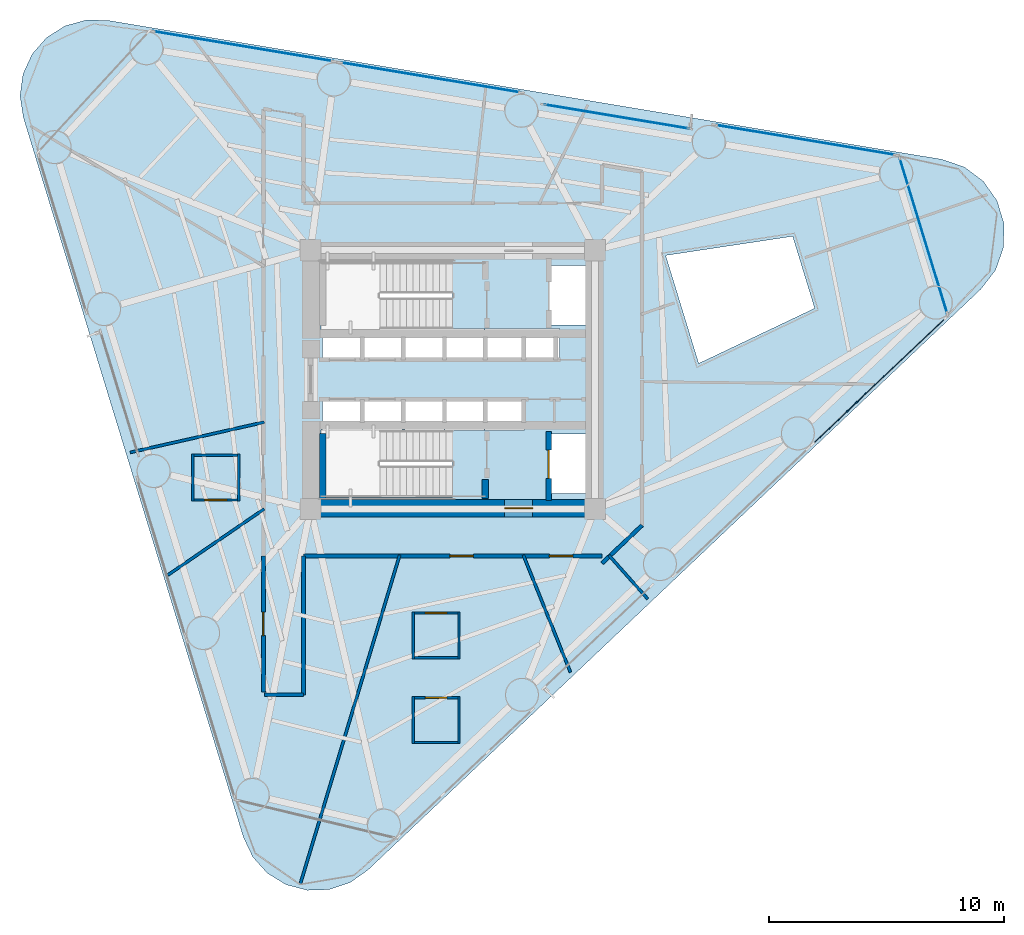
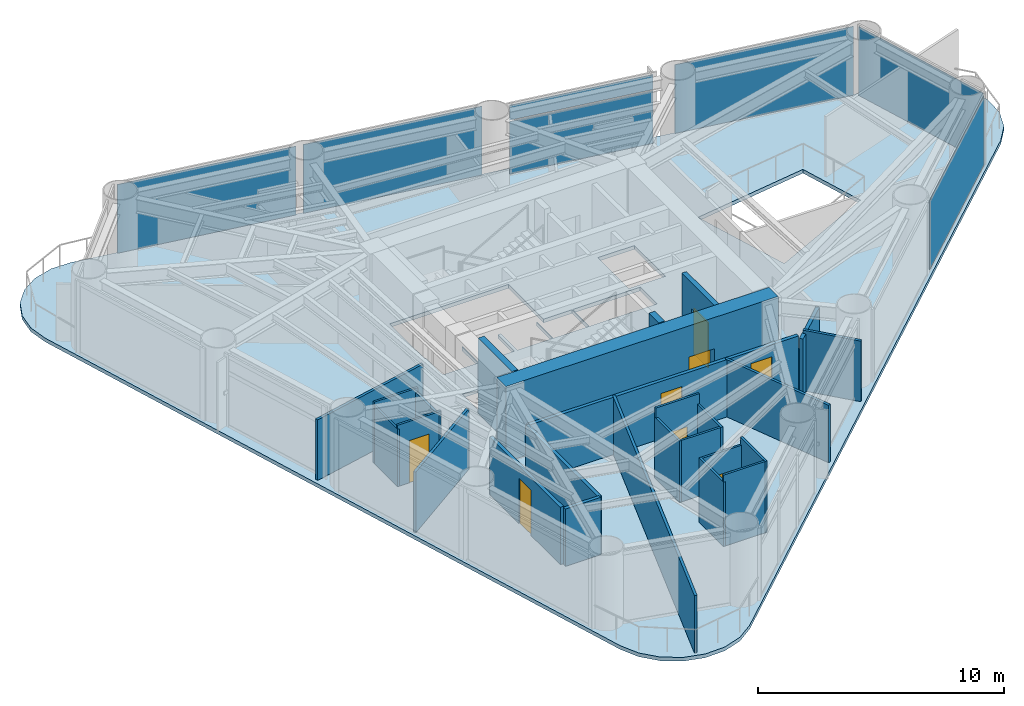
# One storey, part 5 of 10: 26 walls, 8 doors, 7 plates, 1 slab, 8 openings, 6 elements without a shape of their own.
"""IFC4 building model written with IfcOpenShell, lengths in metres."""

import ifcopenshell
import ifcopenshell.guid

model = None  # the IFC model being written
_history = None  # IfcOwnerHistory: only IFC2X3 demands one
_inside = {}  # id of a spatial element -> (the spatial element, [elements in it])
_under = {}  # id of a project, library or spatial element -> (it, [spatial elements below it])
_declared = {}  # id of a project -> (the project, [libraries it declares])
_typed = {}  # id of a type object -> (the type object, [elements of that type])
_made_of = {}  # id of a material, layer set ... -> (it, [elements and type objects made of it])


def new_model(schema):
    """Start an empty IFC model of exactly this schema.

    Asked for "IFC4X3", IfcOpenShell would pick the latest addendum, in which some entities
    have other attributes; the version numbers below select the first issue.
    IFC2X3 requires an IfcOwnerHistory on every rooted entity: one is made here for all.
    """
    global model, _history
    if schema == "IFC4X3":
        model = ifcopenshell.file(schema_version=(4, 3, 0, 0))
    else:
        model = ifcopenshell.file(schema=schema)
    _inside.clear()
    _under.clear()
    _declared.clear()
    _typed.clear()
    _made_of.clear()
    _history = None
    if model.schema == "IFC2X3":
        org = make("IfcOrganization", Name="unknown")
        user = make(
            "IfcPersonAndOrganization",
            ThePerson=make("IfcPerson", FamilyName="unknown"),
            TheOrganization=org,
        )
        app = make(
            "IfcApplication",
            ApplicationDeveloper=org,
            Version="unknown",
            ApplicationFullName="unknown",
            ApplicationIdentifier="unknown",
        )
        _history = make(
            "IfcOwnerHistory",
            OwningUser=user,
            OwningApplication=app,
            ChangeAction="ADDED",
            CreationDate=0,
        )
    return model


def make(cls, **values):
    """One entity of the class cls with the attributes given. An attribute that is None is left unset."""
    return model.create_entity(
        cls, **{name: value for name, value in values.items() if value is not None}
    )


def rooted(cls, **values):
    """An entity with a GlobalId (a new one), such as an element, a storey or a relation."""
    return make(cls, GlobalId=ifcopenshell.guid.new(), OwnerHistory=_history, **values)


def si_unit(unit_type, name, prefix=None):
    """IfcSIUnit, for example si_unit("LENGTHUNIT", "METRE", prefix="MILLI")."""
    return make("IfcSIUnit", UnitType=unit_type, Prefix=prefix, Name=name)


def assignment(units):
    """IfcUnitAssignment: the units of a project."""
    return None if units is None else make("IfcUnitAssignment", Units=units)


def point(xyz):
    """IfcCartesianPoint."""
    return None if xyz is None else make("IfcCartesianPoint", Coordinates=xyz)


def direction(xyz):
    """IfcDirection."""
    return None if xyz is None else make("IfcDirection", DirectionRatios=xyz)


def frame(location, z_axis=None, x_axis=None):
    """IfcAxis2Placement3D, a coordinate frame: its origin and axes. An axis left out is left unset."""
    return make(
        "IfcAxis2Placement3D",
        Location=point(location),
        Axis=direction(z_axis),
        RefDirection=direction(x_axis),
    )


def frame_2d(location, x_axis=None):
    """IfcAxis2Placement2D, a coordinate frame in the plane: its origin and x axis."""
    return make(
        "IfcAxis2Placement2D", Location=point(location), RefDirection=direction(x_axis)
    )


def origin():
    """The frame at (0, 0, 0) with its axes left unset."""
    return frame((0.0, 0.0, 0.0))


def origin_2d():
    """The frame at (0, 0) in the plane with its x axis left unset."""
    return frame_2d((0.0, 0.0))


def place(relative_to, where):
    """IfcLocalPlacement: puts the frame where relative to a parent placement (None: the world)."""
    return make(
        "IfcLocalPlacement", PlacementRelTo=relative_to, RelativePlacement=where
    )


def context(
    kind, dimensions, precision=None, world=None, true_north=None, identifier=None
):
    """IfcGeometricRepresentationContext, for example the 3D "Model" context."""
    return make(
        "IfcGeometricRepresentationContext",
        ContextIdentifier=identifier,
        ContextType=kind,
        CoordinateSpaceDimension=dimensions,
        Precision=precision,
        WorldCoordinateSystem=world,
        TrueNorth=true_north,
    )


def subcontext(parent, identifier, kind, view, scale=None):
    """IfcGeometricRepresentationSubContext, for example "Body" below "Model"."""
    return make(
        "IfcGeometricRepresentationSubContext",
        ContextIdentifier=identifier,
        ContextType=kind,
        ParentContext=parent,
        TargetScale=scale,
        TargetView=view,
    )


def project(units=None, contexts=None):
    """IfcProject with its units and contexts."""
    return rooted(
        "IfcProject",
        Name="project",
        RepresentationContexts=contexts,
        UnitsInContext=assignment(units),
    )


def spatial(cls, under=None, at=None, **own):
    """A site, building, storey or space (cls), placed at a placement, below another one or the project."""
    s = rooted(cls, ObjectPlacement=at, **own)
    if under is not None:
        _under.setdefault(under.id(), (under, []))[1].append(s)
    return s


def polyline(points):
    """IfcPolyline through the points."""
    return make("IfcPolyline", Points=[point(p) for p in points])


def profile(cls, at=None, kind="AREA", **sizes):
    """A parametric profile (cls). Its sizes go by their IFC names, for example OverallWidth=200.0."""
    return make(cls, ProfileType=kind, Position=at, **sizes)


def rectangle(**sizes):
    """IfcRectangleProfileDef."""
    return profile("IfcRectangleProfileDef", **sizes)


def outline(outer, holes=None, kind="AREA"):
    """IfcArbitraryClosedProfileDef: a profile drawn as a closed curve; with holes, ...WithVoids."""
    if holes is None:
        return make("IfcArbitraryClosedProfileDef", ProfileType=kind, OuterCurve=outer)
    return make(
        "IfcArbitraryProfileDefWithVoids",
        ProfileType=kind,
        OuterCurve=outer,
        InnerCurves=holes,
    )


def extrude(swept, where, along, depth):
    """IfcExtrudedAreaSolid: the profile swept, set in the frame where, extruded along a direction by depth."""
    return make(
        "IfcExtrudedAreaSolid",
        SweptArea=swept,
        Position=where,
        ExtrudedDirection=direction(along),
        Depth=depth,
    )


def shape(context_of_items, identifier, shape_type, items):
    """IfcShapeRepresentation: the items that make up one representation, for example the "Body"."""
    return make(
        "IfcShapeRepresentation",
        ContextOfItems=context_of_items,
        RepresentationIdentifier=identifier,
        RepresentationType=shape_type,
        Items=items,
    )


def source(mapping_origin, context_of_items, identifier, shape_type, items):
    """IfcRepresentationMap: a shape defined once, which mapped items show again and again."""
    return make(
        "IfcRepresentationMap",
        MappingOrigin=mapping_origin,
        MappedRepresentation=shape(context_of_items, identifier, shape_type, items),
    )


def transform(
    local_origin,
    x_axis=None,
    y_axis=None,
    z_axis=None,
    scale=None,
    scale2=None,
    scale3=None,
    uniform=True,
):
    """IfcCartesianTransformationOperator3D, or its non-uniform kind. x_axis, y_axis, z_axis: its Axis1, 2, 3."""
    if uniform:
        return make(
            "IfcCartesianTransformationOperator3D",
            Axis1=direction(x_axis),
            Axis2=direction(y_axis),
            LocalOrigin=point(local_origin),
            Scale=scale,
            Axis3=direction(z_axis),
        )
    return make(
        "IfcCartesianTransformationOperator3DnonUniform",
        Axis1=direction(x_axis),
        Axis2=direction(y_axis),
        LocalOrigin=point(local_origin),
        Scale=scale,
        Axis3=direction(z_axis),
        Scale2=scale2,
        Scale3=scale3,
    )


def mapped(mapping_source, mapping_target):
    """IfcMappedItem: shows the shape of a source again, moved by a transform."""
    return make(
        "IfcMappedItem", MappingSource=mapping_source, MappingTarget=mapping_target
    )


def material(Name=None, Category=None):
    """IfcMaterial."""
    return make("IfcMaterial", Name=Name, Category=Category)


def layer(
    of_material, thickness, ventilated=None, Name=None, Category=None, Priority=None
):
    """IfcMaterialLayer: one layer of a wall or slab, of a material (None: an air gap)."""
    return make(
        "IfcMaterialLayer",
        Material=of_material,
        LayerThickness=thickness,
        IsVentilated=ventilated,
        Name=Name,
        Category=Category,
        Priority=Priority,
    )


def layer_set(layers, Name=None):
    """IfcMaterialLayerSet."""
    return make("IfcMaterialLayerSet", MaterialLayers=layers, LayerSetName=Name)


def made_of(thing, what):
    """Note that an element or type object is made of a material, layer set ...; save() writes the relation."""
    if what is not None:
        _made_of.setdefault(what.id(), (what, []))[1].append(thing)
    return thing


def type_object(cls, material=None, **own):
    """A type object (cls), such as IfcWallType, which elements share."""
    return made_of(rooted(cls, **own), material)


def element(
    cls,
    number,
    at=None,
    inside=None,
    cuts=None,
    type_object=None,
    material=None,
    context=None,
    identifier="Body",
    shape_type=None,
    held_by="IfcProductDefinitionShape",
    body=None,
    shapes=None,
    **own,
):
    """One element of the class cls, such as IfcWall. Its Tag is "e" and its number.

    at: its placement. inside: the storey or other place that contains it. cuts: it is an
    opening in that element (IfcRelVoidsElement). A single representation is given by context,
    identifier, shape_type and body (its items); several are given by shapes. held_by: the class
    of the entity that holds the representations. save() writes the other relations.
    """
    e = rooted(cls, Tag="e%d" % number, ObjectPlacement=at, **own)
    if body is not None:
        shapes = [shape(context, identifier, shape_type, body)]
    if shapes is not None:
        e.Representation = make(held_by, Representations=shapes)
    if inside is not None:
        _inside.setdefault(inside.id(), (inside, []))[1].append(e)
    if cuts is not None:
        rooted(
            "IfcRelVoidsElement", RelatingBuildingElement=cuts, RelatedOpeningElement=e
        )
    if type_object is not None:
        _typed.setdefault(type_object.id(), (type_object, []))[1].append(e)
    return made_of(e, material)


def fill(opening, filler):
    """IfcRelFillsElement: the door or window that sits in an opening."""
    return rooted(
        "IfcRelFillsElement",
        RelatingOpeningElement=opening,
        RelatedBuildingElement=filler,
    )


def aggregate(whole, parts):
    """IfcRelAggregates: a whole, such as a stair, and the parts it consists of."""
    return rooted("IfcRelAggregates", RelatingObject=whole, RelatedObjects=parts)


def save(model, path):
    """Write the relations noted so far, then the file.

    IfcRelAggregates (storeys below a building ...), IfcRelContainedInSpatialStructure (elements
    in a storey), IfcRelDefinesByType, IfcRelAssociatesMaterial and IfcRelDeclares: one each for
    every whole, place, type object, material and project.
    """
    for whole, parts in _under.values():
        aggregate(whole, parts)
    for where, things in _inside.values():
        rooted(
            "IfcRelContainedInSpatialStructure",
            RelatedElements=things,
            RelatingStructure=where,
        )
    for kind, things in _typed.values():
        rooted("IfcRelDefinesByType", RelatedObjects=things, RelatingType=kind)
    for what, things in _made_of.values():
        rooted("IfcRelAssociatesMaterial", RelatedObjects=things, RelatingMaterial=what)
    for by, libraries in _declared.values():
        rooted("IfcRelDeclares", RelatingContext=by, RelatedDefinitions=libraries)
    model.write(path)


model = new_model("IFC4")

# Units and contexts
model_context = context("Model", 3, precision=1e-05, world=origin(), true_north=direction((0.0, 1.0)))
body_context = subcontext(model_context, "Body", "Model", "MODEL_VIEW")
ifc_project = project(units=[si_unit("LENGTHUNIT", "METRE"), si_unit("AREAUNIT", "SQUARE_METRE"), si_unit("VOLUMEUNIT", "CUBIC_METRE"), si_unit("PLANEANGLEUNIT", "RADIAN"), si_unit("MASSUNIT", "GRAM", prefix="KILO")], contexts=[model_context])

# Site, building, storey
site_placement = place(None, origin())
site = spatial("IfcSite", under=ifc_project, at=site_placement, CompositionType="ELEMENT")
building_placement = place(site_placement, origin())
building = spatial("IfcBuilding", under=site, at=building_placement, Name="Yunling Apex Tower", CompositionType="ELEMENT")
storey_placement = place(building_placement, frame((0.0, 0.0, 93.64990234375)))
storey = spatial("IfcBuildingStorey", under=building, at=storey_placement, Name="L23", CompositionType="ELEMENT", Elevation=93.64990234375)

# Slab
ifc_material_1 = material(Name="Concrete C40", Category="concrete")
ifc_layer_1 = layer(ifc_material_1, 0.179931640625)
ifc_layer_set_1 = layer_set([ifc_layer_1], Name="Concrete C40")
slab_type = type_object("IfcSlabType", Name="SL-FLR-1", PredefinedType="FLOOR", material=ifc_layer_set_1)
slab_placement = place(storey_placement, frame((0.0, 0.0, -0.184814453125)))
element("IfcSlab", 1, at=slab_placement, inside=storey, type_object=slab_type, Name="L23 Composite Tower Floor Slab", PredefinedType="FLOOR", context=body_context, shape_type="SweptSolid", body=[
    extrude(outline(polyline([(-8.89990234375, -19.45263671875), (-8.50146484375, -20.294921875), (-7.87841796875, -20.98779296875), (-7.083251953125, -21.473388671875), (-6.182373046875, -21.710693359375), (-5.251220703125, -21.680419921875), (-4.367431640625, -21.384765625), (-3.605712890625, -20.848388671875), (22.4599609375, 3.852294921875), (23.077880859375, 4.65869140625), (23.413818359375, 5.61767578125), (23.434326171875, 6.63330078125), (23.13720703125, 7.60498046875), (22.55224609375, 8.435791015625), (21.737548828125, 9.042724609375), (20.774169921875, 9.36572265625), (-14.6474609375, 15.267822265625), (-15.5791015625, 15.28662109375), (-16.476806640625, 15.03759765625), (-17.265869140625, 14.5419921875), (-17.8798828125, 13.84130859375), (-18.267578125, 12.993896484375), (-18.396728515625, 12.0712890625), (-18.256103515625, 11.150390625), (-8.89990234375, -19.45263671875)]), holes=[polyline([(14.45068359375, 6.091064453125), (15.385986328125, 3.031005859375), (10.4560546875, 0.68701171875), (9.052490234375, 5.27734375), (14.45068359375, 6.091064453125)]), polyline([(5.81005859375, -2.320068359375), (5.81005859375, -4.840087890625), (4.090087890625, -4.840087890625), (4.090087890625, -2.320068359375), (5.81005859375, -2.320068359375)]), polyline([(5.81005859375, 4.840087890625), (5.81005859375, 2.320068359375), (4.090087890625, 2.320068359375), (4.090087890625, 4.840087890625), (5.81005859375, 4.840087890625)]), polyline([(4.534912109375, 0.794921875), (1.364990234375, 0.794921875), (1.364990234375, 2.1650390625), (4.534912109375, 2.1650390625), (4.534912109375, 0.794921875)]), polyline([(3.034912109375, -0.794921875), (3.034912109375, -2.1650390625), (1.364990234375, -2.1650390625), (1.364990234375, -0.794921875), (3.034912109375, -0.794921875)]), polyline([(-3.864990234375, -0.794921875), (-3.864990234375, -2.139892578125), (-3.8349609375, -2.139892578125), (-3.8349609375, -0.794921875), (-2.1650390625, -0.794921875), (-2.1650390625, -2.139892578125), (-2.034912109375, -2.139892578125), (-2.034912109375, -0.794921875), (-0.364990234375, -0.794921875), (-0.364990234375, -2.139892578125), (-0.3349609375, -2.139892578125), (-0.3349609375, -0.794921875), (1.3349609375, -0.794921875), (1.3349609375, -2.1650390625), (-0.010009765625, -2.1650390625), (-0.010009765625, -5.010009765625), (-5.60009765625, -5.010009765625), (-5.60009765625, -2.139892578125), (-5.534912109375, -2.139892578125), (-5.534912109375, -0.794921875), (-3.864990234375, -0.794921875)]), polyline([(-5.60009765625, 2.139892578125), (-5.60009765625, 5.010009765625), (-0.010009765625, 5.010009765625), (-0.010009765625, 2.1650390625), (1.3349609375, 2.1650390625), (1.3349609375, 0.794921875), (-0.3349609375, 0.794921875), (-0.3349609375, 2.139892578125), (-0.364990234375, 2.139892578125), (-0.364990234375, 0.794921875), (-2.034912109375, 0.794921875), (-2.034912109375, 2.139892578125), (-2.1650390625, 2.139892578125), (-2.1650390625, 0.794921875), (-3.8349609375, 0.794921875), (-3.8349609375, 2.139892578125), (-3.864990234375, 2.139892578125), (-3.864990234375, 0.794921875), (-5.534912109375, 0.794921875), (-5.534912109375, 2.139892578125), (-5.60009765625, 2.139892578125)])]), origin(), (0.0, 0.0, 1.0), 0.184814453125),
])

# Curtain wall, plates
ifc_material_2 = material(Name="Bronze anodised aluminium", Category="aluminium")
ifc_layer_2 = layer(ifc_material_2, 0.260009765625)
ifc_layer_set_2 = layer_set([ifc_layer_2], Name="Bronze anodised aluminium")
curtain_wall_type = type_object("IfcCurtainWallType", Name="CW-SYS-2", PredefinedType="NOTDEFINED", material=ifc_layer_set_2)
curtain_wall_1_placement = place(storey_placement, origin())
curtain_wall_1 = element("IfcCurtainWall", 2, at=curtain_wall_1_placement, inside=storey, type_object=curtain_wall_type, Name="CW-L23-F2-B2", PredefinedType="NOTDEFINED")
ifc_material_3 = material(Name="Bronze tinted low-E glass", Category="glass")
ifc_layer_3 = layer(ifc_material_3, 0.033935546875)
ifc_layer_set_3 = layer_set([ifc_layer_3], Name="Bronze tinted low-E glass")
plate_type = type_object("IfcPlateType", Name="CW-PNL-2", PredefinedType="CURTAIN_PANEL", material=ifc_layer_set_3)
shared_shape_1 = source(origin(), body_context, "Body", "SweptSolid", [
    extrude(rectangle(XDim=6.236328125, YDim=0.033935546875, at=origin_2d()), origin(), (0.0, 0.0, 1.0), 2.60400390625),
])
plate_1_placement = place(storey_placement, frame((6.96923828125, 11.17919921875, 0.076904296875), z_axis=(0.0, 0.0, 1.0), x_axis=(-0.986401113409, 0.164355844023, 0.0)))
plate_1 = element("IfcPlate", 3, at=plate_1_placement, type_object=plate_type, Name="CW-SYS-2 panel 1.1", PredefinedType="CURTAIN_PANEL", context=body_context, shape_type="MappedRepresentation", body=[
    mapped(shared_shape_1, transform((0.0, 0.0, 0.0), scale=1.0)),
])
shared_shape_2 = source(origin(), body_context, "Body", "SweptSolid", [
    extrude(rectangle(XDim=6.236328125, YDim=0.033935546875, at=origin_2d()), origin(), (0.0, 0.0, 1.0), 0.739013671875),
])
plate_2_placement = place(storey_placement, frame((6.96923828125, 11.17919921875, 2.74951171875), z_axis=(0.0, 0.0, 1.0), x_axis=(-0.986401113409, 0.164355844023, 0.0)))
plate_2 = element("IfcPlate", 4, at=plate_2_placement, type_object=plate_type, Name="CW-SYS-2 panel 1.2", PredefinedType="CURTAIN_PANEL", context=body_context, shape_type="MappedRepresentation", body=[
    mapped(shared_shape_2, transform((0.0, 0.0, 0.0), scale=1.0)),
])
aggregate(curtain_wall_1, [plate_1, plate_2])

# Curtain wall, plate
curtain_wall_2_placement = place(storey_placement, origin())
curtain_wall_2 = element("IfcCurtainWall", 5, at=curtain_wall_2_placement, inside=storey, type_object=curtain_wall_type, Name="CW-L23-F1-B4", PredefinedType="NOTDEFINED")
shared_shape_3 = source(origin(), body_context, "Body", "SweptSolid", [
    extrude(rectangle(XDim=7.766357421875, YDim=0.033935546875, at=origin_2d()), origin(), (0.0, 0.0, 1.0), 3.41162109375),
])
plate_3_placement = place(storey_placement, frame((18.1279296875, -0.06005859375, 0.076904296875), z_axis=(0.0, 0.0, 1.0), x_axis=(0.72584218686, 0.687861264918, 0.0)))
plate_3 = element("IfcPlate", 6, at=plate_3_placement, type_object=plate_type, Name="CW-SYS-2 panel 1.1", PredefinedType="CURTAIN_PANEL", context=body_context, shape_type="MappedRepresentation", body=[
    mapped(shared_shape_3, transform((0.0, 0.0, 0.0), scale=1.0)),
])
aggregate(curtain_wall_2, [plate_3])

curtain_wall_3_placement = place(storey_placement, origin())
curtain_wall_3 = element("IfcCurtainWall", 7, at=curtain_wall_3_placement, inside=storey, type_object=curtain_wall_type, Name="CW-L23-F2-B1", PredefinedType="NOTDEFINED")
plate_4_placement = place(storey_placement, frame((14.9951171875, 10.186767578125, 0.076904296875), z_axis=(0.0, 0.0, 1.0), x_axis=(-0.98640040698, 0.16436008369, 0.0)))
plate_4 = element("IfcPlate", 8, at=plate_4_placement, type_object=plate_type, Name="CW-SYS-2 panel 1.1", PredefinedType="CURTAIN_PANEL", context=body_context, shape_type="MappedRepresentation", body=[
    mapped(shared_shape_3, transform((0.0, 0.0, 0.0), scale=1.0)),
])
aggregate(curtain_wall_3, [plate_4])

curtain_wall_4_placement = place(storey_placement, origin())
curtain_wall_4 = element("IfcCurtainWall", 9, at=curtain_wall_4_placement, inside=storey, type_object=curtain_wall_type, Name="CW-L23-F2-B4", PredefinedType="NOTDEFINED")
plate_5_placement = place(storey_placement, frame((-8.91455078125, 14.170654296875, 0.076904296875), z_axis=(0.0, 0.0, 1.0), x_axis=(-0.98640040698, 0.16436008369, 0.0)))
plate_5 = element("IfcPlate", 10, at=plate_5_placement, type_object=plate_type, Name="CW-SYS-2 panel 1.1", PredefinedType="CURTAIN_PANEL", context=body_context, shape_type="MappedRepresentation", body=[
    mapped(shared_shape_3, transform((0.0, 0.0, 0.0), scale=1.0)),
])
aggregate(curtain_wall_4, [plate_5])

curtain_wall_5_placement = place(storey_placement, origin())
curtain_wall_5 = element("IfcCurtainWall", 11, at=curtain_wall_5_placement, inside=storey, type_object=curtain_wall_type, Name="CW-L23-CRN1", PredefinedType="NOTDEFINED")
shared_shape_4 = source(origin(), body_context, "Body", "SweptSolid", [
    extrude(rectangle(XDim=6.925537109375, YDim=0.033935546875, at=origin_2d()), origin(), (0.0, 0.0, 1.0), 3.41162109375),
])
plate_6_placement = place(storey_placement, frame((20.01171875, 6.1181640625, 0.076904296875), z_axis=(0.0, 0.0, 1.0), x_axis=(-0.292375009223, 0.95630374567, 0.0)))
plate_6 = element("IfcPlate", 12, at=plate_6_placement, type_object=plate_type, Name="CW-SYS-2 panel 1.1", PredefinedType="CURTAIN_PANEL", context=body_context, shape_type="MappedRepresentation", body=[
    mapped(shared_shape_4, transform((0.0, 0.0, 0.0), scale=1.0)),
])
aggregate(curtain_wall_5, [plate_6])

curtain_wall_6_placement = place(storey_placement, origin())
curtain_wall_6 = element("IfcCurtainWall", 13, at=curtain_wall_6_placement, inside=storey, type_object=curtain_wall_type, Name="CW-L23-F2-B3", PredefinedType="NOTDEFINED")
shared_shape_5 = source(origin(), body_context, "Body", "SweptSolid", [
    extrude(rectangle(XDim=7.76611328125, YDim=0.033935546875, at=origin_2d()), origin(), (0.0, 0.0, 1.0), 3.41162109375),
])
plate_7_placement = place(storey_placement, frame((-0.944580078125, 12.8427734375, 0.076904296875), z_axis=(0.0, 0.0, 1.0), x_axis=(-0.986400065878, 0.164362130784, 0.0)))
plate_7 = element("IfcPlate", 14, at=plate_7_placement, type_object=plate_type, Name="CW-SYS-2 panel 1.1", PredefinedType="CURTAIN_PANEL", context=body_context, shape_type="MappedRepresentation", body=[
    mapped(shared_shape_5, transform((0.0, 0.0, 0.0), scale=1.0)),
])
aggregate(curtain_wall_6, [plate_7])

# Wall, opening, door
ifc_material_4 = material(Name="Concrete C60", Category="concrete")
ifc_layer_4 = layer(ifc_material_4, 0.75)
ifc_layer_set_4 = layer_set([ifc_layer_4], Name="Concrete C60")
wall_type_1 = type_object("IfcWallType", Name="WL-COR-1", PredefinedType="SHEAR", material=ifc_layer_set_4)
wall_1_placement = place(storey_placement, frame((-6.39990234375, -5.47509765625, 0.0), z_axis=(0.0, 0.0, 1.0), x_axis=(1.0, 0.0, 0.0)))
wall_1 = element("IfcWall", 15, at=wall_1_placement, inside=storey, type_object=wall_type_1, Name="L23 South Core Shear Wall", PredefinedType="SHEAR", context=body_context, shape_type="SweptSolid", body=[
    extrude(rectangle(XDim=12.7998046875, YDim=0.75, at=frame_2d((6.39990234375, 0.0))), origin(), (0.0, 0.0, 1.0), 3.75),
])
opening_1_placement = place(wall_1_placement, frame((8.60009765625, 0.0, 0.0)))
opening_1 = element("IfcOpeningElement", 16, at=opening_1_placement, cuts=wall_1, Name="Opening DR-FFL-1", PredefinedType="OPENING", context=body_context, shape_type="SweptSolid", body=[
    extrude(rectangle(XDim=1.199951171875, YDim=2.199951171875, at=frame_2d((0.60009765625, 1.10009765625))), frame((0.0, 0.385009765625, 0.0), z_axis=(0.0, -1.0, 0.0), x_axis=(1.0, 0.0, 0.0)), (0.0, 0.0, 1.0), 0.77001953125),
])
ifc_material_5 = material(Name="Steel Q355B", Category="steel")
door_type_1 = type_object("IfcDoorType", Name="DR-FFL-1", OperationType="NOTDEFINED", PredefinedType="DOOR", material=ifc_material_5)
door_1_placement = place(opening_1_placement, origin())
door_1 = element("IfcDoor", 17, at=door_1_placement, inside=storey, type_object=door_type_1, Name="L23 South Firefighting Lobby Door", OperationType="SINGLE_SWING_RIGHT", OverallHeight=2.199951171875, OverallWidth=1.199951171875, PredefinedType="DOOR", context=body_context, shape_type="SweptSolid", body=[
    extrude(rectangle(XDim=1.199951171875, YDim=2.199951171875, at=frame_2d((0.60009765625, 1.10009765625))), frame((0.0, 0.02490234375, 0.0), z_axis=(0.0, -1.0, 0.0), x_axis=(1.0, 0.0, 0.0)), (0.0, 0.0, 1.0), 0.050048828125),
])
fill(opening_1, door_1)

# Walls
ifc_layer_5 = layer(ifc_material_1, 0.280029296875)
ifc_layer_set_5 = layer_set([ifc_layer_5], Name="Concrete C40")
wall_type_2 = type_object("IfcWallType", Name="WL-COR-8", PredefinedType="SHEAR", material=ifc_layer_set_5)
wall_2_placement = place(storey_placement, frame((-5.52001953125, -5.050048828125, 0.0), z_axis=(0.0, 0.0, 1.0), x_axis=(0.0, 1.0, 0.0)))
element("IfcWall", 18, at=wall_2_placement, inside=storey, type_object=wall_type_2, Name="L23 ST-2 West Landing Bearing Wall", PredefinedType="SHEAR", context=body_context, shape_type="SweptSolid", body=[
    extrude(rectangle(XDim=2.75, YDim=0.280029296875, at=frame_2d((1.375, 0.0))), origin(), (0.0, 0.0, 1.0), 3.75),
])
wall_3_placement = place(storey_placement, frame((1.3798828125, -5.050048828125, 0.0), z_axis=(0.0, 0.0, 1.0), x_axis=(0.0, 1.0, 0.0)))
element("IfcWall", 19, at=wall_3_placement, inside=storey, type_object=wall_type_2, Name="L23 ST-2 East Landing Bearing Pier", PredefinedType="SHEAR", context=body_context, shape_type="SweptSolid", body=[
    extrude(rectangle(XDim=0.800048828125, YDim=0.280029296875, at=frame_2d((0.39990234375, 0.0))), origin(), (0.0, 0.0, 1.0), 3.75),
])

# Wall, opening, door
ifc_material_6 = material(Name="Gypsum board acoustic partition")
ifc_layer_6 = layer(ifc_material_6, 0.159912109375)
ifc_layer_set_6 = layer_set([ifc_layer_6], Name="Gypsum board acoustic partition")
wall_type_3 = type_object("IfcWallType", Name="WL-PRT-1", PredefinedType="PARTITIONING", material=ifc_layer_set_6)
wall_4_placement = place(storey_placement, frame((-8.050048828125, -13.27099609375, 0.0), z_axis=(0.0, 0.0, 1.0), x_axis=(0.0, 1.0, 0.0)))
wall_4 = element("IfcWall", 20, at=wall_4_placement, inside=storey, type_object=wall_type_3, Name="WL-CORR-L23-01", PredefinedType="PARTITIONING", context=body_context, shape_type="SweptSolid", body=[
    extrude(rectangle(XDim=5.77099609375, YDim=0.159912109375, at=frame_2d((2.885498046875, 0.0))), origin(), (0.0, 0.0, 1.0), 2.85009765625),
])
opening_2_placement = place(wall_4_placement, frame((2.385498046875, 0.0, 0.0)))
opening_2 = element("IfcOpeningElement", 21, at=opening_2_placement, cuts=wall_4, Name="Opening DR-OFF-1", PredefinedType="OPENING", context=body_context, shape_type="SweptSolid", body=[
    extrude(rectangle(XDim=1.0, YDim=2.25, at=frame_2d((0.5, 1.125))), frame((0.0, 0.08984375, 0.0), z_axis=(0.0, -1.0, 0.0), x_axis=(1.0, 0.0, 0.0)), (0.0, 0.0, 1.0), 0.179931640625),
])
door_type_2 = type_object("IfcDoorType", Name="DR-OFF-1", OperationType="NOTDEFINED", PredefinedType="DOOR", material=ifc_material_2)
door_2_placement = place(opening_2_placement, origin())
door_2 = element("IfcDoor", 22, at=door_2_placement, inside=storey, type_object=door_type_2, Name="L23 Administration Staff Room Door", OperationType="SINGLE_SWING_LEFT", OverallHeight=2.25, OverallWidth=1.0, PredefinedType="DOOR", context=body_context, shape_type="SweptSolid", body=[
    extrude(rectangle(XDim=1.0, YDim=2.25, at=frame_2d((0.5, 1.125))), frame((0.0, 0.02490234375, 0.0), z_axis=(0.0, -1.0, 0.0), x_axis=(1.0, 0.0, 0.0)), (0.0, 0.0, 1.0), 0.050048828125),
])
fill(opening_2, door_2)

# Wall
wall_5_placement = place(storey_placement, frame((8.050048828125, -6.193603515625, 0.0), z_axis=(0.0, 0.0, 1.0), x_axis=(-0.725875977514, -0.687825606726, 0.0)))
element("IfcWall", 23, at=wall_5_placement, inside=storey, type_object=wall_type_3, Name="WL-CORR-L23-12", PredefinedType="PARTITIONING", context=body_context, shape_type="SweptSolid", body=[
    extrude(rectangle(XDim=2.342041015625, YDim=0.159912109375, at=frame_2d((1.1708984375, 0.0))), origin(), (0.0, 0.0, 1.0), 2.85009765625),
])

# Wall, openings, doors
wall_6_placement = place(storey_placement, frame((6.35009765625, -7.5, 0.0), z_axis=(0.0, 0.0, 1.0), x_axis=(-1.0, 0.0, 0.0)))
wall_6 = element("IfcWall", 24, at=wall_6_placement, inside=storey, type_object=wall_type_3, Name="WL-CORR-L23-14", PredefinedType="PARTITIONING", context=body_context, shape_type="SweptSolid", body=[
    extrude(rectangle(XDim=12.7001953125, YDim=0.159912109375, at=frame_2d((6.35009765625, 0.0))), origin(), (0.0, 0.0, 1.0), 2.85009765625),
])
opening_3_placement = place(wall_6_placement, frame((1.24169921875, 0.0, 0.0)))
opening_3 = element("IfcOpeningElement", 25, at=opening_3_placement, cuts=wall_6, Name="Opening DR-OFF-1", PredefinedType="OPENING", context=body_context, shape_type="SweptSolid", body=[
    extrude(rectangle(XDim=1.0, YDim=2.25, at=frame_2d((0.5, 1.125))), frame((0.0, 0.08984375, 0.0), z_axis=(0.0, -1.0, 0.0), x_axis=(1.0, 0.0, 0.0)), (0.0, 0.0, 1.0), 0.179931640625),
])
opening_4_placement = place(wall_6_placement, frame((5.471923828125, 0.0, 0.0)))
opening_4 = element("IfcOpeningElement", 26, at=opening_4_placement, cuts=wall_6, Name="Opening DR-OFF-1", PredefinedType="OPENING", context=body_context, shape_type="SweptSolid", body=[
    extrude(rectangle(XDim=1.0, YDim=2.25, at=frame_2d((0.5, 1.125))), frame((0.0, 0.08984375, 0.0), z_axis=(0.0, -1.0, 0.0), x_axis=(1.0, 0.0, 0.0)), (0.0, 0.0, 1.0), 0.179931640625),
])
door_3_placement = place(opening_3_placement, origin())
door_3 = element("IfcDoor", 27, at=door_3_placement, inside=storey, type_object=door_type_2, Name="L23 Tea Point Kitchen Door", OperationType="SINGLE_SWING_RIGHT", OverallHeight=2.25, OverallWidth=1.0, PredefinedType="DOOR", context=body_context, shape_type="SweptSolid", body=[
    extrude(rectangle(XDim=1.0, YDim=2.25, at=frame_2d((0.5, 1.125))), frame((0.0, 0.02490234375, 0.0), z_axis=(0.0, -1.0, 0.0), x_axis=(1.0, 0.0, 0.0)), (0.0, 0.0, 1.0), 0.050048828125),
])
fill(opening_3, door_3)
door_4_placement = place(opening_4_placement, origin())
door_4 = element("IfcDoor", 28, at=door_4_placement, inside=storey, type_object=door_type_2, Name="L23 Service Foyer Lounge Door", OperationType="SINGLE_SWING_LEFT", OverallHeight=2.25, OverallWidth=1.0, PredefinedType="DOOR", context=body_context, shape_type="SweptSolid", body=[
    extrude(rectangle(XDim=1.0, YDim=2.25, at=frame_2d((0.5, 1.125))), frame((0.0, 0.02490234375, 0.0), z_axis=(0.0, -1.0, 0.0), x_axis=(1.0, 0.0, 0.0)), (0.0, 0.0, 1.0), 0.050048828125),
])
fill(opening_4, door_4)

# Walls
wall_7_placement = place(storey_placement, frame((-6.35009765625, -7.5, 0.0), z_axis=(0.0, 0.0, 1.0), x_axis=(0.0, -1.0, 0.0)))
element("IfcWall", 29, at=wall_7_placement, inside=storey, type_object=wall_type_3, Name="WL-CORR-L23-15", PredefinedType="PARTITIONING", context=body_context, shape_type="SweptSolid", body=[
    extrude(rectangle(XDim=5.89990234375, YDim=0.159912109375, at=frame_2d((2.949951171875, 0.0))), origin(), (0.0, 0.0, 1.0), 2.85009765625),
])
wall_8_placement = place(storey_placement, frame((-6.35009765625, -13.39990234375, 0.0), z_axis=(0.0, 0.0, 1.0), x_axis=(-1.0, 0.0, 0.0)))
element("IfcWall", 30, at=wall_8_placement, inside=storey, type_object=wall_type_3, Name="WL-CORR-L23-16", PredefinedType="PARTITIONING", context=body_context, shape_type="SweptSolid", body=[
    extrude(rectangle(XDim=1.660400390625, YDim=0.159912109375, at=frame_2d((0.830078125, 0.0))), origin(), (0.0, 0.0, 1.0), 2.85009765625),
])
ifc_layer_7 = layer(ifc_material_6, 0.1201171875)
ifc_layer_set_7 = layer_set([ifc_layer_7], Name="Gypsum board acoustic partition")
wall_type_4 = type_object("IfcWallType", Name="WL-PRT-3", PredefinedType="PARTITIONING", material=ifc_layer_set_7)
wall_9_placement = place(storey_placement, frame((-8.010009765625, -1.80908203125, 0.0), z_axis=(0.0, 0.0, 1.0), x_axis=(-0.975429422211, -0.220312147384, 0.0)))
element("IfcWall", 31, at=wall_9_placement, inside=storey, type_object=wall_type_4, Name="WL-RAD-L23-02", PredefinedType="PARTITIONING", context=body_context, shape_type="SweptSolid", body=[
    extrude(rectangle(XDim=5.845458984375, YDim=0.1201171875, at=frame_2d((2.9228515625, 0.0))), origin(), (0.0, 0.0, 1.0), 3.010009765625),
])
wall_10_placement = place(storey_placement, frame((-8.010009765625, -5.495849609375, 0.0), z_axis=(0.0, 0.0, 1.0), x_axis=(-0.824586433319, -0.565735993186, 0.0)))
element("IfcWall", 32, at=wall_10_placement, inside=storey, type_object=wall_type_4, Name="WL-RAD-L23-03", PredefinedType="PARTITIONING", context=body_context, shape_type="SweptSolid", body=[
    extrude(rectangle(XDim=4.98095703125, YDim=0.1201171875, at=frame_2d((2.490478515625, 0.0))), origin(), (0.0, 0.0, 1.0), 3.010009765625),
])
wall_11_placement = place(storey_placement, frame((-2.2548828125, -7.4599609375, 0.0), z_axis=(0.0, 0.0, 1.0), x_axis=(-0.289332531311, -0.957228648926, 0.0)))
element("IfcWall", 33, at=wall_11_placement, inside=storey, type_object=wall_type_4, Name="WL-RAD-L23-04", PredefinedType="PARTITIONING", context=body_context, shape_type="SweptSolid", body=[
    extrude(rectangle(XDim=14.610595703125, YDim=0.1201171875, at=frame_2d((7.30517578125, 0.0))), origin(), (0.0, 0.0, 1.0), 2.85009765625),
])
wall_12_placement = place(storey_placement, frame((3.000244140625, -7.4599609375, 0.0), z_axis=(0.0, 0.0, 1.0), x_axis=(0.37313810105, -0.927775812115, 0.0)))
element("IfcWall", 34, at=wall_12_placement, inside=storey, type_object=wall_type_4, Name="WL-RAD-L23-05", PredefinedType="PARTITIONING", context=body_context, shape_type="SweptSolid", body=[
    extrude(rectangle(XDim=5.369873046875, YDim=0.1201171875, at=frame_2d((2.68505859375, 0.0))), origin(), (0.0, 0.0, 1.0), 2.85009765625),
])
wall_13_placement = place(storey_placement, frame((6.642578125, -7.47216796875, 0.0), z_axis=(0.0, 0.0, 1.0), x_axis=(0.66436383883, -0.747409318684, 0.0)))
element("IfcWall", 35, at=wall_13_placement, inside=storey, type_object=wall_type_4, Name="WL-RAD-L23-06", PredefinedType="PARTITIONING", context=body_context, shape_type="SweptSolid", body=[
    extrude(rectangle(XDim=2.481201171875, YDim=0.1201171875, at=frame_2d((1.24072265625, 0.0))), origin(), (0.0, 0.0, 1.0), 3.010009765625),
])

# Wall, opening, door
ifc_layer_8 = layer(ifc_material_6, 0.10009765625)
ifc_layer_set_8 = layer_set([ifc_layer_8], Name="Gypsum board acoustic partition")
wall_type_5 = type_object("IfcWallType", Name="WL-PRT-4", PredefinedType="PARTITIONING", material=ifc_layer_set_8)
wall_14_placement = place(storey_placement, frame((-1.73291015625, -13.528076171875, 0.0), z_axis=(0.0, 0.0, 1.0), x_axis=(1.0, 0.0, 0.0)))
wall_14 = element("IfcWall", 36, at=wall_14_placement, inside=storey, type_object=wall_type_5, Name="WL-L23-WCMN", PredefinedType="PARTITIONING", context=body_context, shape_type="SweptSolid", body=[
    extrude(rectangle(XDim=2.0498046875, YDim=0.10009765625, at=frame_2d((1.02490234375, 0.0))), origin(), (0.0, 0.0, 1.0), 3.2001953125),
])
opening_5_placement = place(wall_14_placement, frame((0.56494140625, 0.0, 0.0)))
opening_5 = element("IfcOpeningElement", 37, at=opening_5_placement, cuts=wall_14, Name="Opening DR-WC-1", PredefinedType="OPENING", context=body_context, shape_type="SweptSolid", body=[
    extrude(rectangle(XDim=0.919921875, YDim=2.10009765625, at=frame_2d((0.4599609375, 1.050048828125))), frame((0.0, 0.06005859375, 0.0), z_axis=(0.0, -1.0, 0.0), x_axis=(1.0, 0.0, 0.0)), (0.0, 0.0, 1.0), 0.1201171875),
])
ifc_material_7 = material(Name="Timber moisture-resistant leaf", Category="wood")
door_type_3 = type_object("IfcDoorType", Name="DR-WC-1", OperationType="NOTDEFINED", PredefinedType="DOOR", material=ifc_material_7)
door_5_placement = place(opening_5_placement, origin())
door_5 = element("IfcDoor", 38, at=door_5_placement, inside=storey, type_object=door_type_3, Name="L23 Male Toilet Door", OperationType="SINGLE_SWING_RIGHT", OverallHeight=2.10009765625, OverallWidth=0.919921875, PredefinedType="DOOR", context=body_context, shape_type="SweptSolid", body=[
    extrude(rectangle(XDim=0.919921875, YDim=2.10009765625, at=frame_2d((0.4599609375, 1.050048828125))), frame((0.0, 0.02490234375, 0.0), z_axis=(0.0, -1.0, 0.0), x_axis=(1.0, 0.0, 0.0)), (0.0, 0.0, 1.0), 0.050048828125),
])
fill(opening_5, door_5)

# Walls
wall_15_placement = place(storey_placement, frame((0.31689453125, -15.427978515625, 0.0), z_axis=(0.0, 0.0, 1.0), x_axis=(-1.0, 0.0, 0.0)))
element("IfcWall", 39, at=wall_15_placement, inside=storey, type_object=wall_type_5, Name="WL-L23-WCMS", PredefinedType="PARTITIONING", context=body_context, shape_type="SweptSolid", body=[
    extrude(rectangle(XDim=2.0498046875, YDim=0.10009765625, at=frame_2d((1.02490234375, 0.0))), origin(), (0.0, 0.0, 1.0), 3.545166015625),
])
wall_16_placement = place(storey_placement, frame((0.26708984375, -13.47802734375, 0.0), z_axis=(0.0, 0.0, 1.0), x_axis=(0.0, -1.0, 0.0)))
element("IfcWall", 40, at=wall_16_placement, inside=storey, type_object=wall_type_5, Name="WL-L23-WCME", PredefinedType="PARTITIONING", context=body_context, shape_type="SweptSolid", body=[
    extrude(rectangle(XDim=2.0, YDim=0.10009765625, at=frame_2d((1.0, 0.0))), origin(), (0.0, 0.0, 1.0), 3.545166015625),
])
wall_17_placement = place(storey_placement, frame((-1.68310546875, -15.47802734375, 0.0), z_axis=(0.0, 0.0, 1.0), x_axis=(0.0, 1.0, 0.0)))
element("IfcWall", 41, at=wall_17_placement, inside=storey, type_object=wall_type_5, Name="WL-L23-WCMW", PredefinedType="PARTITIONING", context=body_context, shape_type="SweptSolid", body=[
    extrude(rectangle(XDim=2.0, YDim=0.10009765625, at=frame_2d((1.0, 0.0))), origin(), (0.0, 0.0, 1.0), 3.2001953125),
])

# Wall, opening, door
wall_18_placement = place(storey_placement, frame((-1.73291015625, -9.923095703125, 0.0), z_axis=(0.0, 0.0, 1.0), x_axis=(1.0, 0.0, 0.0)))
wall_18 = element("IfcWall", 42, at=wall_18_placement, inside=storey, type_object=wall_type_5, Name="WL-L23-WCFN", PredefinedType="PARTITIONING", context=body_context, shape_type="SweptSolid", body=[
    extrude(rectangle(XDim=2.0498046875, YDim=0.10009765625, at=frame_2d((1.02490234375, 0.0))), origin(), (0.0, 0.0, 1.0), 3.545166015625),
])
opening_6_placement = place(wall_18_placement, frame((0.56494140625, 0.0, 0.0)))
opening_6 = element("IfcOpeningElement", 43, at=opening_6_placement, cuts=wall_18, Name="Opening DR-WC-1", PredefinedType="OPENING", context=body_context, shape_type="SweptSolid", body=[
    extrude(rectangle(XDim=0.919921875, YDim=2.10009765625, at=frame_2d((0.4599609375, 1.050048828125))), frame((0.0, 0.06005859375, 0.0), z_axis=(0.0, -1.0, 0.0), x_axis=(1.0, 0.0, 0.0)), (0.0, 0.0, 1.0), 0.1201171875),
])
door_6_placement = place(opening_6_placement, origin())
door_6 = element("IfcDoor", 44, at=door_6_placement, inside=storey, type_object=door_type_3, Name="L23 Female Toilet Door", OperationType="SINGLE_SWING_LEFT", OverallHeight=2.10009765625, OverallWidth=0.919921875, PredefinedType="DOOR", context=body_context, shape_type="SweptSolid", body=[
    extrude(rectangle(XDim=0.919921875, YDim=2.10009765625, at=frame_2d((0.4599609375, 1.050048828125))), frame((0.0, 0.02490234375, 0.0), z_axis=(0.0, -1.0, 0.0), x_axis=(1.0, 0.0, 0.0)), (0.0, 0.0, 1.0), 0.050048828125),
])
fill(opening_6, door_6)

# Walls
wall_19_placement = place(storey_placement, frame((0.31689453125, -11.822998046875, 0.0), z_axis=(0.0, 0.0, 1.0), x_axis=(-1.0, 0.0, 0.0)))
element("IfcWall", 45, at=wall_19_placement, inside=storey, type_object=wall_type_5, Name="WL-L23-WCFS", PredefinedType="PARTITIONING", context=body_context, shape_type="SweptSolid", body=[
    extrude(rectangle(XDim=2.0498046875, YDim=0.10009765625, at=frame_2d((1.02490234375, 0.0))), origin(), (0.0, 0.0, 1.0), 3.050048828125),
])
for number, where, z_axis, x_axis, name in (
    (46, (0.26708984375, -9.873046875, 0.0), (0.0, 0.0, 1.0), (0.0, -1.0, 0.0), "WL-L23-WCFE"),
    (47, (-1.68310546875, -11.873046875, 0.0), (0.0, 0.0, 1.0), (0.0, 1.0, 0.0), "WL-L23-WCFW"),
):
    element("IfcWall", number, at=place(storey_placement, frame(where, z_axis=z_axis, x_axis=x_axis)), inside=storey, type_object=wall_type_5, Name=name, PredefinedType="PARTITIONING", context=body_context, shape_type="SweptSolid", body=[
        extrude(rectangle(XDim=2.0, YDim=0.10009765625, at=frame_2d((1.0, 0.0))), origin(), (0.0, 0.0, 1.0), 3.050048828125),
    ])
wall_20_placement = place(storey_placement, frame((-11.10302734375, -3.217041015625, 0.0), z_axis=(0.0, 0.0, 1.0), x_axis=(1.0, 0.0, 0.0)))
element("IfcWall", 48, at=wall_20_placement, inside=storey, type_object=wall_type_5, Name="WL-L23-WCFB0N", PredefinedType="PARTITIONING", context=body_context, shape_type="SweptSolid", body=[
    extrude(rectangle(XDim=2.050048828125, YDim=0.10009765625, at=frame_2d((1.02490234375, 0.0))), origin(), (0.0, 0.0, 1.0), 3.050048828125),
])

# Wall, opening, door
wall_21_placement = place(storey_placement, frame((-9.052978515625, -5.116943359375, 0.0), z_axis=(0.0, 0.0, 1.0), x_axis=(-1.0, 0.0, 0.0)))
wall_21 = element("IfcWall", 49, at=wall_21_placement, inside=storey, type_object=wall_type_5, Name="WL-L23-WCFB0S", PredefinedType="PARTITIONING", context=body_context, shape_type="SweptSolid", body=[
    extrude(rectangle(XDim=2.050048828125, YDim=0.10009765625, at=frame_2d((1.02490234375, 0.0))), origin(), (0.0, 0.0, 1.0), 3.050048828125),
])
opening_7_placement = place(wall_21_placement, frame((0.56494140625, 0.0, 0.0)))
opening_7 = element("IfcOpeningElement", 50, at=opening_7_placement, cuts=wall_21, Name="Opening DR-WC-1", PredefinedType="OPENING", context=body_context, shape_type="SweptSolid", body=[
    extrude(rectangle(XDim=0.919921875, YDim=2.10009765625, at=frame_2d((0.4599609375, 1.050048828125))), frame((0.0, 0.06005859375, 0.0), z_axis=(0.0, -1.0, 0.0), x_axis=(1.0, 0.0, 0.0)), (0.0, 0.0, 1.0), 0.1201171875),
])
door_7_placement = place(opening_7_placement, origin())
door_7 = element("IfcDoor", 51, at=door_7_placement, inside=storey, type_object=door_type_3, Name="L23 Accessible WC Door", OperationType="SINGLE_SWING_RIGHT", OverallHeight=2.10009765625, OverallWidth=0.919921875, PredefinedType="DOOR", context=body_context, shape_type="SweptSolid", body=[
    extrude(rectangle(XDim=0.919921875, YDim=2.10009765625, at=frame_2d((0.4599609375, 1.050048828125))), frame((0.0, 0.02490234375, 0.0), z_axis=(0.0, -1.0, 0.0), x_axis=(1.0, 0.0, 0.0)), (0.0, 0.0, 1.0), 0.050048828125),
])
fill(opening_7, door_7)

# Walls
for number, where, z_axis, x_axis, name in (
    (52, (-9.10302734375, -3.1669921875, 0.0), (0.0, 0.0, 1.0), (0.0, -1.0, 0.0), "WL-L23-WCFB0E"),
    (53, (-11.052978515625, -5.1669921875, 0.0), (0.0, 0.0, 1.0), (0.0, 1.0, 0.0), "WL-L23-WCFB0W"),
):
    element("IfcWall", number, at=place(storey_placement, frame(where, z_axis=z_axis, x_axis=x_axis)), inside=storey, type_object=wall_type_5, Name=name, PredefinedType="PARTITIONING", context=body_context, shape_type="SweptSolid", body=[
        extrude(rectangle(XDim=2.0, YDim=0.10009765625, at=frame_2d((1.0, 0.0))), origin(), (0.0, 0.0, 1.0), 2.85009765625),
    ])

# Wall, opening, door
ifc_material_8 = material(Name="Autoclaved aerated concrete masonry", Category="masonry")
ifc_layer_9 = layer(ifc_material_8, 0.219970703125)
ifc_layer_set_9 = layer_set([ifc_layer_9], Name="Autoclaved aerated concrete masonry")
wall_type_6 = type_object("IfcWallType", Name="WL-SHF-1", PredefinedType="PLUMBINGWALL", material=ifc_layer_set_9)
wall_22_placement = place(storey_placement, frame((4.080078125, -5.14990234375, 0.0), z_axis=(0.0, 0.0, 1.0), x_axis=(0.0, 1.0, 0.0)))
wall_22 = element("IfcWall", 54, at=wall_22_placement, inside=storey, type_object=wall_type_6, Name="WL-FFL2-W-L23", PredefinedType="PLUMBINGWALL", context=body_context, shape_type="SweptSolid", body=[
    extrude(rectangle(XDim=2.949951171875, YDim=0.219970703125, at=frame_2d((1.47509765625, 0.0))), origin(), (0.0, 0.0, 1.0), 3.545166015625),
])
opening_8_placement = place(wall_22_placement, frame((0.949951171875, 0.0, 0.0)))
opening_8 = element("IfcOpeningElement", 55, at=opening_8_placement, cuts=wall_22, Name="Opening LD-FFL-1", PredefinedType="OPENING", context=body_context, shape_type="SweptSolid", body=[
    extrude(rectangle(XDim=1.199951171875, YDim=2.25, at=frame_2d((0.60009765625, 1.125))), frame((0.0, 0.1201171875, 0.0), z_axis=(0.0, -1.0, 0.0), x_axis=(1.0, 0.0, 0.0)), (0.0, 0.0, 1.0), 0.239990234375),
])
door_type_4 = type_object("IfcDoorType", Name="LD-FFL-1", OperationType="DOUBLE_DOOR_SLIDING", PredefinedType="DOOR", material=ifc_material_5)
door_8_placement = place(opening_8_placement, origin())
door_8 = element("IfcDoor", 56, at=door_8_placement, inside=storey, type_object=door_type_4, Name="L23 Lift FFL-2 Landing Door", OperationType="DOUBLE_DOOR_SLIDING", OverallHeight=2.25, OverallWidth=1.199951171875, PredefinedType="DOOR", context=body_context, shape_type="SweptSolid", body=[
    extrude(rectangle(XDim=1.199951171875, YDim=2.25, at=frame_2d((0.60009765625, 1.125))), frame((0.0, 0.02490234375, 0.0), z_axis=(0.0, -1.0, 0.0), x_axis=(1.0, 0.0, 0.0)), (0.0, 0.0, 1.0), 0.050048828125),
])
fill(opening_8, door_8)

save(model, "model.ifc")
